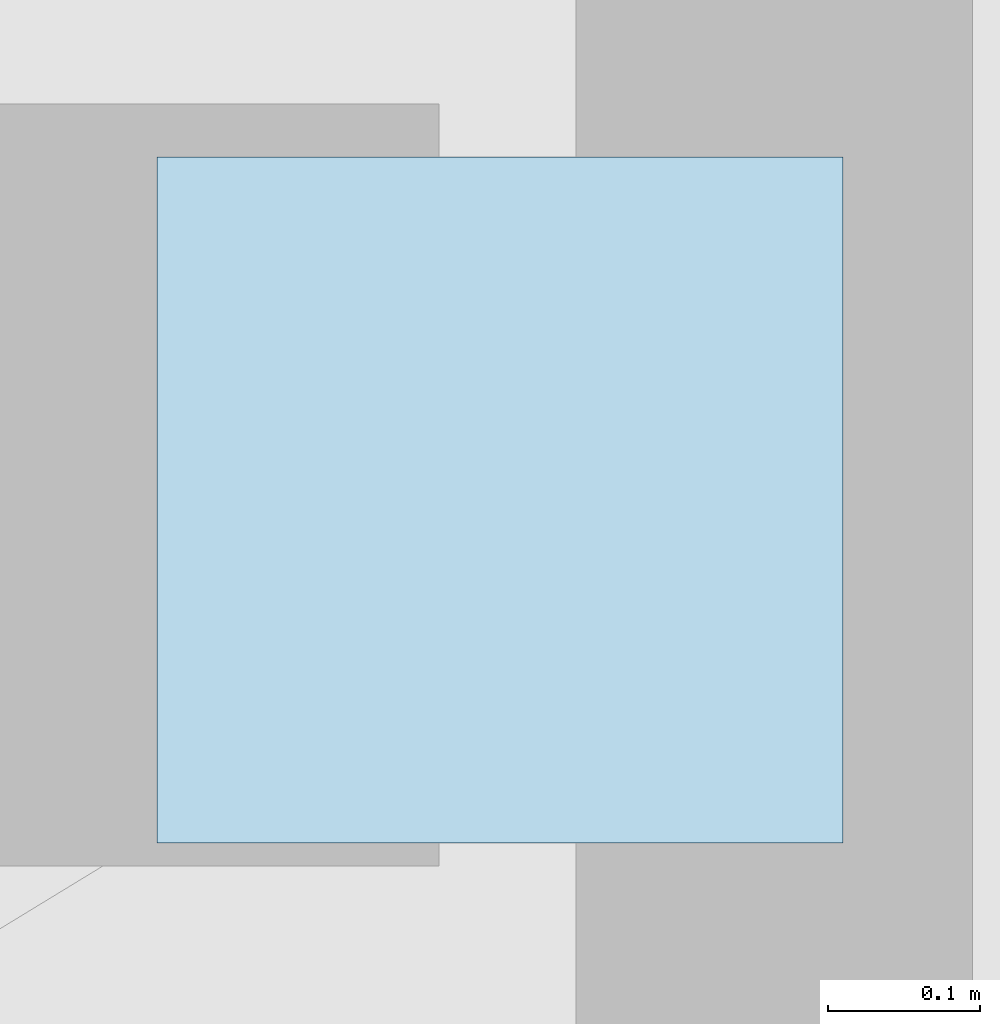
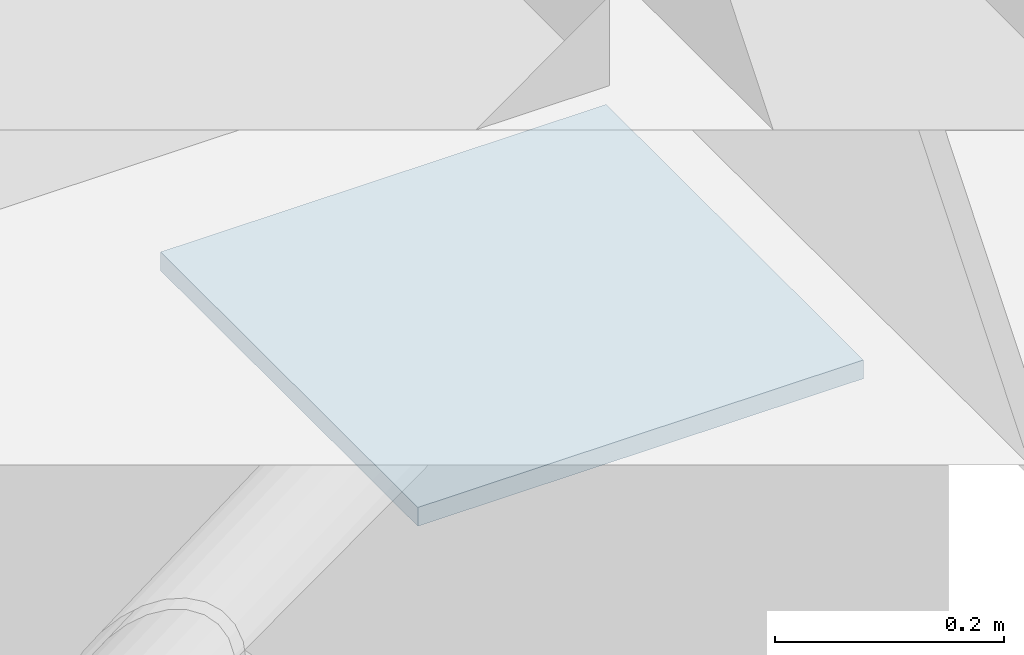
# One storey, part 24 of 42: 1 plate.
"""IFC4 building model written with IfcOpenShell, lengths in metres."""

from ifc_helpers import new_model, si_unit, direction, frame, origin, origin_2d, place, context, subcontext, project, spatial, rectangle, extrude, material, layer, layer_set, type_object, element, save


model = new_model("IFC4")

# Units and contexts
model_context = context("Model", 3, precision=1e-05, world=origin(), true_north=direction((0.0, 1.0)))
body_context = subcontext(model_context, "Body", "Model", "MODEL_VIEW")
ifc_project = project(units=[si_unit("LENGTHUNIT", "METRE"), si_unit("AREAUNIT", "SQUARE_METRE"), si_unit("VOLUMEUNIT", "CUBIC_METRE"), si_unit("PLANEANGLEUNIT", "RADIAN"), si_unit("MASSUNIT", "GRAM", prefix="KILO")], contexts=[model_context])

# Site, building, storey
site_placement = place(None, origin())
site = spatial("IfcSite", under=ifc_project, at=site_placement, CompositionType="ELEMENT")
building_placement = place(site_placement, origin())
building = spatial("IfcBuilding", under=site, at=building_placement, Name="Naurynzar Civic Courthouse", CompositionType="ELEMENT")
storey_placement = place(building_placement, frame((0.0, 0.0, 18.300048828125)))
storey = spatial("IfcBuildingStorey", under=building, at=storey_placement, Name="L05", CompositionType="ELEMENT", Elevation=18.300048828125)

# Plate
ifc_material = material(Name="Steel S355", Category="steel")
ifc_layer = layer(ifc_material, 0.02001953125)
ifc_layer_set = layer_set([ifc_layer], Name="PLT-GUSSET-450x450x20")
plate_type = type_object("IfcPlateType", Name="PLT-GUSSET-450x450x20", PredefinedType="USERDEFINED", material=ifc_layer_set)
plate_placement = place(storey_placement, frame((129.820068359375, 55.6201171875, -0.4150390625), z_axis=(0.0, 0.0, 1.0), x_axis=(1.0, 0.0, 0.0)))
element("IfcPlate", 1, at=plate_placement, inside=storey, type_object=plate_type, Name="BR-E1 wind brace gusset plate L05.2", ObjectType="GUSSET PLATE", PredefinedType="USERDEFINED", context=body_context, shape_type="SweptSolid", body=[
    extrude(rectangle(XDim=0.449951171875, YDim=0.449951171875, at=origin_2d()), origin(), (0.0, 0.0, 1.0), 0.02001953125),
])

save(model, "model.ifc")
